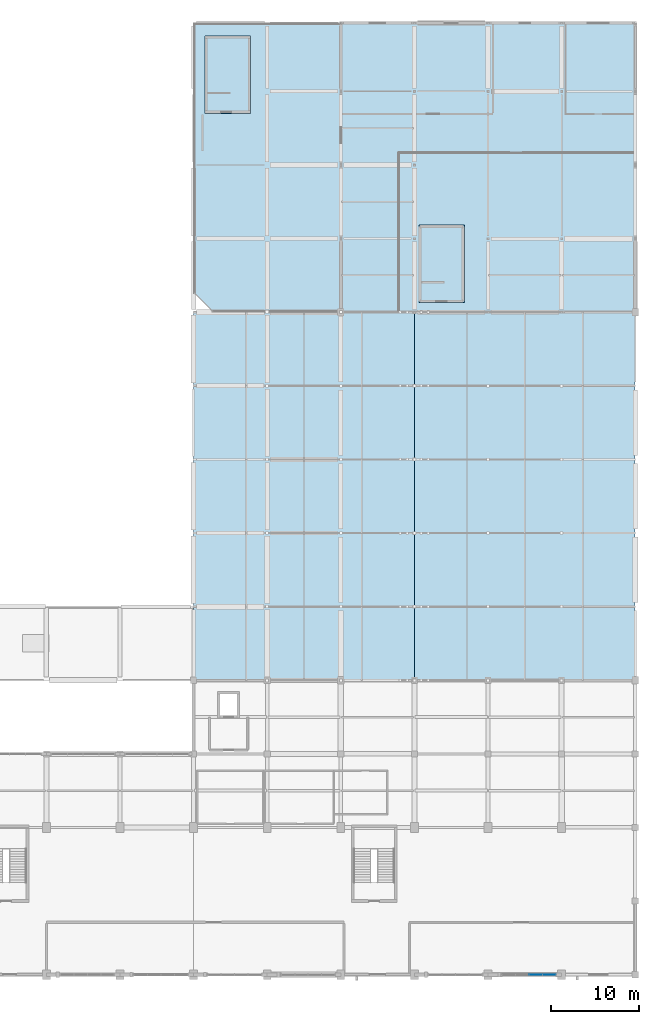
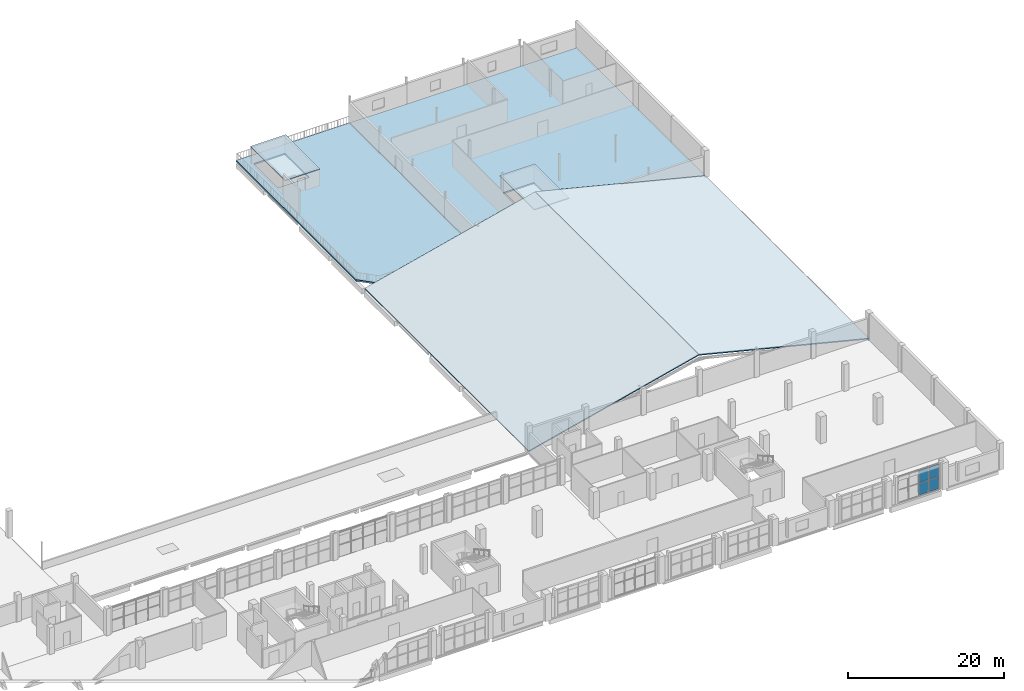
# One storey, part 42 of 64: 6 slabs, 4 plates, 1 element without a shape of its own.
"""IFC4 building model written with IfcOpenShell, lengths in metres."""

import ifcopenshell
import ifcopenshell.guid

model = None  # the IFC model being written
_history = None  # IfcOwnerHistory: only IFC2X3 demands one
_inside = {}  # id of a spatial element -> (the spatial element, [elements in it])
_under = {}  # id of a project, library or spatial element -> (it, [spatial elements below it])
_declared = {}  # id of a project -> (the project, [libraries it declares])
_typed = {}  # id of a type object -> (the type object, [elements of that type])
_made_of = {}  # id of a material, layer set ... -> (it, [elements and type objects made of it])


def new_model(schema):
    """Start an empty IFC model of exactly this schema.

    Asked for "IFC4X3", IfcOpenShell would pick the latest addendum, in which some entities
    have other attributes; the version numbers below select the first issue.
    IFC2X3 requires an IfcOwnerHistory on every rooted entity: one is made here for all.
    """
    global model, _history
    if schema == "IFC4X3":
        model = ifcopenshell.file(schema_version=(4, 3, 0, 0))
    else:
        model = ifcopenshell.file(schema=schema)
    _inside.clear()
    _under.clear()
    _declared.clear()
    _typed.clear()
    _made_of.clear()
    _history = None
    if model.schema == "IFC2X3":
        org = make("IfcOrganization", Name="unknown")
        user = make(
            "IfcPersonAndOrganization",
            ThePerson=make("IfcPerson", FamilyName="unknown"),
            TheOrganization=org,
        )
        app = make(
            "IfcApplication",
            ApplicationDeveloper=org,
            Version="unknown",
            ApplicationFullName="unknown",
            ApplicationIdentifier="unknown",
        )
        _history = make(
            "IfcOwnerHistory",
            OwningUser=user,
            OwningApplication=app,
            ChangeAction="ADDED",
            CreationDate=0,
        )
    return model


def make(cls, **values):
    """One entity of the class cls with the attributes given. An attribute that is None is left unset."""
    return model.create_entity(
        cls, **{name: value for name, value in values.items() if value is not None}
    )


def rooted(cls, **values):
    """An entity with a GlobalId (a new one), such as an element, a storey or a relation."""
    return make(cls, GlobalId=ifcopenshell.guid.new(), OwnerHistory=_history, **values)


def si_unit(unit_type, name, prefix=None):
    """IfcSIUnit, for example si_unit("LENGTHUNIT", "METRE", prefix="MILLI")."""
    return make("IfcSIUnit", UnitType=unit_type, Prefix=prefix, Name=name)


def derived_unit(unit_type, elements):
    """IfcDerivedUnit: a product of units, each with its exponent."""
    return make(
        "IfcDerivedUnit",
        Elements=[
            make("IfcDerivedUnitElement", Unit=unit, Exponent=power)
            for unit, power in elements
        ],
        UnitType=unit_type,
    )


def assignment(units):
    """IfcUnitAssignment: the units of a project."""
    return None if units is None else make("IfcUnitAssignment", Units=units)


def point(xyz):
    """IfcCartesianPoint."""
    return None if xyz is None else make("IfcCartesianPoint", Coordinates=xyz)


def direction(xyz):
    """IfcDirection."""
    return None if xyz is None else make("IfcDirection", DirectionRatios=xyz)


def frame(location, z_axis=None, x_axis=None):
    """IfcAxis2Placement3D, a coordinate frame: its origin and axes. An axis left out is left unset."""
    return make(
        "IfcAxis2Placement3D",
        Location=point(location),
        Axis=direction(z_axis),
        RefDirection=direction(x_axis),
    )


def frame_2d(location, x_axis=None):
    """IfcAxis2Placement2D, a coordinate frame in the plane: its origin and x axis."""
    return make(
        "IfcAxis2Placement2D", Location=point(location), RefDirection=direction(x_axis)
    )


def origin():
    """The frame at (0, 0, 0) with its axes left unset."""
    return frame((0.0, 0.0, 0.0))


def origin_2d():
    """The frame at (0, 0) in the plane with its x axis left unset."""
    return frame_2d((0.0, 0.0))


def place(relative_to, where):
    """IfcLocalPlacement: puts the frame where relative to a parent placement (None: the world)."""
    return make(
        "IfcLocalPlacement", PlacementRelTo=relative_to, RelativePlacement=where
    )


def context(
    kind, dimensions, precision=None, world=None, true_north=None, identifier=None
):
    """IfcGeometricRepresentationContext, for example the 3D "Model" context."""
    return make(
        "IfcGeometricRepresentationContext",
        ContextIdentifier=identifier,
        ContextType=kind,
        CoordinateSpaceDimension=dimensions,
        Precision=precision,
        WorldCoordinateSystem=world,
        TrueNorth=true_north,
    )


def subcontext(parent, identifier, kind, view, scale=None):
    """IfcGeometricRepresentationSubContext, for example "Body" below "Model"."""
    return make(
        "IfcGeometricRepresentationSubContext",
        ContextIdentifier=identifier,
        ContextType=kind,
        ParentContext=parent,
        TargetScale=scale,
        TargetView=view,
    )


def project(units=None, contexts=None):
    """IfcProject with its units and contexts."""
    return rooted(
        "IfcProject",
        Name="project",
        RepresentationContexts=contexts,
        UnitsInContext=assignment(units),
    )


def spatial(cls, under=None, at=None, **own):
    """A site, building, storey or space (cls), placed at a placement, below another one or the project."""
    s = rooted(cls, ObjectPlacement=at, **own)
    if under is not None:
        _under.setdefault(under.id(), (under, []))[1].append(s)
    return s


def polyline(points):
    """IfcPolyline through the points."""
    return make("IfcPolyline", Points=[point(p) for p in points])


def profile(cls, at=None, kind="AREA", **sizes):
    """A parametric profile (cls). Its sizes go by their IFC names, for example OverallWidth=200.0."""
    return make(cls, ProfileType=kind, Position=at, **sizes)


def rectangle(**sizes):
    """IfcRectangleProfileDef."""
    return profile("IfcRectangleProfileDef", **sizes)


def outline(outer, holes=None, kind="AREA"):
    """IfcArbitraryClosedProfileDef: a profile drawn as a closed curve; with holes, ...WithVoids."""
    if holes is None:
        return make("IfcArbitraryClosedProfileDef", ProfileType=kind, OuterCurve=outer)
    return make(
        "IfcArbitraryProfileDefWithVoids",
        ProfileType=kind,
        OuterCurve=outer,
        InnerCurves=holes,
    )


def extrude(swept, where, along, depth):
    """IfcExtrudedAreaSolid: the profile swept, set in the frame where, extruded along a direction by depth."""
    return make(
        "IfcExtrudedAreaSolid",
        SweptArea=swept,
        Position=where,
        ExtrudedDirection=direction(along),
        Depth=depth,
    )


def shape(context_of_items, identifier, shape_type, items):
    """IfcShapeRepresentation: the items that make up one representation, for example the "Body"."""
    return make(
        "IfcShapeRepresentation",
        ContextOfItems=context_of_items,
        RepresentationIdentifier=identifier,
        RepresentationType=shape_type,
        Items=items,
    )


def material(Name=None, Category=None):
    """IfcMaterial."""
    return make("IfcMaterial", Name=Name, Category=Category)


def layer(
    of_material, thickness, ventilated=None, Name=None, Category=None, Priority=None
):
    """IfcMaterialLayer: one layer of a wall or slab, of a material (None: an air gap)."""
    return make(
        "IfcMaterialLayer",
        Material=of_material,
        LayerThickness=thickness,
        IsVentilated=ventilated,
        Name=Name,
        Category=Category,
        Priority=Priority,
    )


def layer_set(layers, Name=None):
    """IfcMaterialLayerSet."""
    return make("IfcMaterialLayerSet", MaterialLayers=layers, LayerSetName=Name)


def made_of(thing, what):
    """Note that an element or type object is made of a material, layer set ...; save() writes the relation."""
    if what is not None:
        _made_of.setdefault(what.id(), (what, []))[1].append(thing)
    return thing


def type_object(cls, material=None, **own):
    """A type object (cls), such as IfcWallType, which elements share."""
    return made_of(rooted(cls, **own), material)


def element(
    cls,
    number,
    at=None,
    inside=None,
    cuts=None,
    type_object=None,
    material=None,
    context=None,
    identifier="Body",
    shape_type=None,
    held_by="IfcProductDefinitionShape",
    body=None,
    shapes=None,
    **own,
):
    """One element of the class cls, such as IfcWall. Its Tag is "e" and its number.

    at: its placement. inside: the storey or other place that contains it. cuts: it is an
    opening in that element (IfcRelVoidsElement). A single representation is given by context,
    identifier, shape_type and body (its items); several are given by shapes. held_by: the class
    of the entity that holds the representations. save() writes the other relations.
    """
    e = rooted(cls, Tag="e%d" % number, ObjectPlacement=at, **own)
    if body is not None:
        shapes = [shape(context, identifier, shape_type, body)]
    if shapes is not None:
        e.Representation = make(held_by, Representations=shapes)
    if inside is not None:
        _inside.setdefault(inside.id(), (inside, []))[1].append(e)
    if cuts is not None:
        rooted(
            "IfcRelVoidsElement", RelatingBuildingElement=cuts, RelatedOpeningElement=e
        )
    if type_object is not None:
        _typed.setdefault(type_object.id(), (type_object, []))[1].append(e)
    return made_of(e, material)


def aggregate(whole, parts):
    """IfcRelAggregates: a whole, such as a stair, and the parts it consists of."""
    return rooted("IfcRelAggregates", RelatingObject=whole, RelatedObjects=parts)


def save(model, path):
    """Write the relations noted so far, then the file.

    IfcRelAggregates (storeys below a building ...), IfcRelContainedInSpatialStructure (elements
    in a storey), IfcRelDefinesByType, IfcRelAssociatesMaterial and IfcRelDeclares: one each for
    every whole, place, type object, material and project.
    """
    for whole, parts in _under.values():
        aggregate(whole, parts)
    for where, things in _inside.values():
        rooted(
            "IfcRelContainedInSpatialStructure",
            RelatedElements=things,
            RelatingStructure=where,
        )
    for kind, things in _typed.values():
        rooted("IfcRelDefinesByType", RelatedObjects=things, RelatingType=kind)
    for what, things in _made_of.values():
        rooted("IfcRelAssociatesMaterial", RelatedObjects=things, RelatingMaterial=what)
    for by, libraries in _declared.values():
        rooted("IfcRelDeclares", RelatingContext=by, RelatedDefinitions=libraries)
    model.write(path)


model = new_model("IFC4")

# Units and contexts
model_context = context("Model", 3, precision=1e-05, world=origin(), true_north=direction((0.0, 1.0)))
body_context = subcontext(model_context, "Body", "Model", "MODEL_VIEW")
ifc_project = project(units=[si_unit("LENGTHUNIT", "METRE"), si_unit("AREAUNIT", "SQUARE_METRE"), si_unit("VOLUMEUNIT", "CUBIC_METRE"), si_unit("PLANEANGLEUNIT", "RADIAN"), si_unit("MASSUNIT", "GRAM", prefix="KILO"), derived_unit("THERMALTRANSMITTANCEUNIT", [(si_unit("POWERUNIT", "WATT"), 1), (si_unit("LENGTHUNIT", "METRE"), -2), (si_unit("THERMODYNAMICTEMPERATUREUNIT", "KELVIN"), -1)])], contexts=[model_context])

# Site, building, storey
site_placement = place(None, origin())
site = spatial("IfcSite", under=ifc_project, at=site_placement, CompositionType="ELEMENT")
building_placement = place(site_placement, origin())
building = spatial("IfcBuilding", under=site, at=building_placement, Name="Barrovel Congress Hotel", CompositionType="ELEMENT")
storey_placement = place(building_placement, frame((0.0, 0.0, 14.10009765625)))
storey = spatial("IfcBuildingStorey", under=building, at=storey_placement, Name="L03", CompositionType="ELEMENT", Elevation=14.10009765625)

# Curtain wall, plates
ifc_material_1 = material(Name="Anodised Aluminium Alloy 6063-T6", Category="aluminium")
curtain_wall_type = type_object("IfcCurtainWallType", Name="CW-ST-7200x3600", PredefinedType="USERDEFINED", material=ifc_material_1)
curtain_wall_placement = place(storey_placement, origin())
curtain_wall = element("IfcCurtainWall", 1, at=curtain_wall_placement, inside=storey, type_object=curtain_wall_type, Name="CW:L03:S:19", ObjectType="STICK CURTAIN WALL", PredefinedType="USERDEFINED")
ifc_material_2 = material(Name="Double Low-E Insulated Glazing", Category="glass")
ifc_layer_1 = layer(ifc_material_2, 0.028076171875)
ifc_layer_set_1 = layer_set([ifc_layer_1], Name="Double Low-E Insulated Glazing")
plate_type = type_object("IfcPlateType", Name="CWP-28", PredefinedType="CURTAIN_PANEL", material=ifc_layer_set_1)
plate_1_placement = place(storey_placement, frame((165.044921875, 4.199951171875, 0.030029296875), z_axis=(0.0, 0.0, 1.0), x_axis=(1.0, 0.0, 0.0)))
plate_1 = element("IfcPlate", 2, at=plate_1_placement, type_object=plate_type, Name="CW:L03:S:19:P2-0", PredefinedType="CURTAIN_PANEL", context=body_context, shape_type="SweptSolid", body=[
    extrude(rectangle(XDim=1.469970703125, YDim=0.028076171875, at=origin_2d()), origin(), (0.0, 0.0, 1.0), 1.89990234375),
])
plate_2_placement = place(storey_placement, frame((165.044921875, 4.199951171875, 1.989990234375), z_axis=(0.0, 0.0, 1.0), x_axis=(1.0, 0.0, 0.0)))
plate_2 = element("IfcPlate", 3, at=plate_2_placement, type_object=plate_type, Name="CW:L03:S:19:P2-1", PredefinedType="CURTAIN_PANEL", context=body_context, shape_type="SweptSolid", body=[
    extrude(rectangle(XDim=1.469970703125, YDim=0.028076171875, at=origin_2d()), origin(), (0.0, 0.0, 1.0), 1.89990234375),
])
plate_3_placement = place(storey_placement, frame((166.574951171875, 4.199951171875, 0.030029296875), z_axis=(0.0, 0.0, 1.0), x_axis=(1.0, 0.0, 0.0)))
plate_3 = element("IfcPlate", 4, at=plate_3_placement, type_object=plate_type, Name="CW:L03:S:19:P3-0", PredefinedType="CURTAIN_PANEL", context=body_context, shape_type="SweptSolid", body=[
    extrude(rectangle(XDim=1.469970703125, YDim=0.028076171875, at=origin_2d()), origin(), (0.0, 0.0, 1.0), 1.89990234375),
])
plate_4_placement = place(storey_placement, frame((166.574951171875, 4.199951171875, 1.989990234375), z_axis=(0.0, 0.0, 1.0), x_axis=(1.0, 0.0, 0.0)))
plate_4 = element("IfcPlate", 5, at=plate_4_placement, type_object=plate_type, Name="CW:L03:S:19:P3-1", PredefinedType="CURTAIN_PANEL", context=body_context, shape_type="SweptSolid", body=[
    extrude(rectangle(XDim=1.469970703125, YDim=0.028076171875, at=origin_2d()), origin(), (0.0, 0.0, 1.0), 1.89990234375),
])
aggregate(curtain_wall, [plate_1, plate_2, plate_3, plate_4])

# Slabs
ifc_material_3 = material(Name="Concrete C35", Category="concrete")
ifc_layer_2 = layer(ifc_material_3, 0.239990234375)
ifc_layer_set_2 = layer_set([ifc_layer_2], Name="Concrete C35")
slab_type_1 = type_object("IfcSlabType", Name="SL-F240", PredefinedType="FLOOR", material=ifc_layer_set_2)
slab_1_placement = place(storey_placement, frame((0.0, 0.0, -0.239990234375)))
element("IfcSlab", 6, at=slab_1_placement, inside=storey, type_object=slab_type_1, Name="SLAB:L03:V3-TERRACE", PredefinedType="FLOOR", context=body_context, shape_type="SweptSolid", body=[
    extrude(outline(polyline([(128.199951171875, 79.800048828125), (142.800048828125, 79.800048828125), (142.800048828125, 112.800048828125), (126.0, 112.800048828125), (126.0, 82.0), (128.199951171875, 79.800048828125)]), holes=[polyline([(127.60009765625, 104.820068359375), (127.60009765625, 111.0400390625), (132.199951171875, 111.0400390625), (132.199951171875, 104.820068359375), (127.60009765625, 104.820068359375)])]), origin(), (0.0, 0.0, 1.0), 0.239990234375),
])
slab_2_placement = place(storey_placement, frame((0.0, 0.0, -0.239990234375)))
element("IfcSlab", 7, at=slab_2_placement, inside=storey, type_object=slab_type_1, Name="SLAB:L03:V3-LOUNGE", PredefinedType="FLOOR", context=body_context, shape_type="SweptSolid", body=[
    extrude(outline(polyline([(142.800048828125, 79.800048828125), (176.39990234375, 79.800048828125), (176.39990234375, 112.800048828125), (142.800048828125, 112.800048828125), (142.800048828125, 79.800048828125)]), holes=[polyline([(152.0, 83.219970703125), (152.0, 89.43994140625), (156.60009765625, 89.43994140625), (156.60009765625, 83.219970703125), (152.0, 83.219970703125)])]), origin(), (0.0, 0.0, 1.0), 0.239990234375),
])
ifc_layer_3 = layer(ifc_material_3, 0.139892578125)
ifc_layer_set_3 = layer_set([ifc_layer_3], Name="Concrete C35")
slab_type_2 = type_object("IfcSlabType", Name="SL-R140", PredefinedType="ROOF", material=ifc_layer_set_3)
slab_3_placement = place(storey_placement, frame((0.0, 0.0, 2.510009765625)))
element("IfcSlab", 8, at=slab_3_placement, inside=storey, type_object=slab_type_2, Name="Stair Headhouse Roof XS-06", PredefinedType="ROOF", context=body_context, shape_type="SweptSolid", body=[
    extrude(outline(polyline([(151.699951171875, 80.89990234375), (156.89990234375, 80.89990234375), (156.89990234375, 89.739990234375), (151.699951171875, 89.739990234375), (151.699951171875, 80.89990234375)])), origin(), (0.0, 0.0, 1.0), 0.139892578125),
])
slab_4_placement = place(storey_placement, frame((0.0, 0.0, 2.510009765625)))
element("IfcSlab", 9, at=slab_4_placement, inside=storey, type_object=slab_type_2, Name="Stair Headhouse Roof XS-10", PredefinedType="ROOF", context=body_context, shape_type="SweptSolid", body=[
    extrude(outline(polyline([(127.300048828125, 102.5), (132.5, 102.5), (132.5, 111.340087890625), (127.300048828125, 111.340087890625), (127.300048828125, 102.5)])), origin(), (0.0, 0.0, 1.0), 0.139892578125),
])
ifc_layer_4 = layer(ifc_material_3, 0.159912109375)
ifc_layer_set_4 = layer_set([ifc_layer_4], Name="Concrete C35")
slab_type_3 = type_object("IfcSlabType", Name="SL-R160", PredefinedType="ROOF", material=ifc_layer_set_4)
for number, where, z_axis, x_axis, name in (
    (10, (126.0, 37.800048828125, 0.0), (-0.24191846946, 0.0, 0.970296580502), (0.970296580502, 0.0, 0.24191846946), "SLAB:V2-ROOF-W"),
    (11, (151.199951171875, 37.800048828125, 6.282958984375), (0.24191846946, 0.0, 0.970296580502), (0.970296580502, 0.0, -0.24191846946), "SLAB:V2-ROOF-E"),
):
    element("IfcSlab", number, at=place(storey_placement, frame(where, z_axis=z_axis, x_axis=x_axis)), inside=storey, type_object=slab_type_3, Name=name, PredefinedType="ROOF", context=body_context, shape_type="SweptSolid", body=[
        extrude(outline(polyline([(0.0, 0.0), (25.971390272070973, 0.0), (25.971390272070973, 42.0), (0.0, 42.0), (0.0, 0.0)])), origin(), (0.0, 0.0, -1.0), 0.159912109375),
    ])

save(model, "model.ifc")
